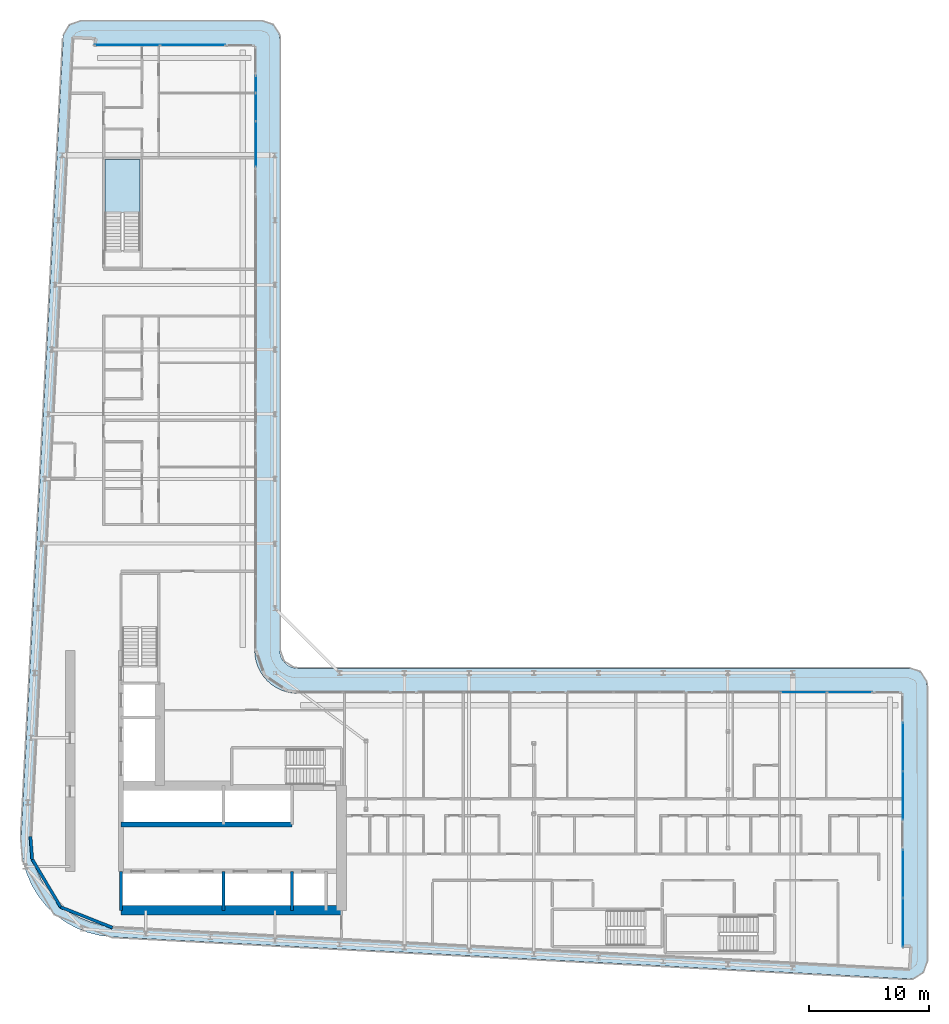
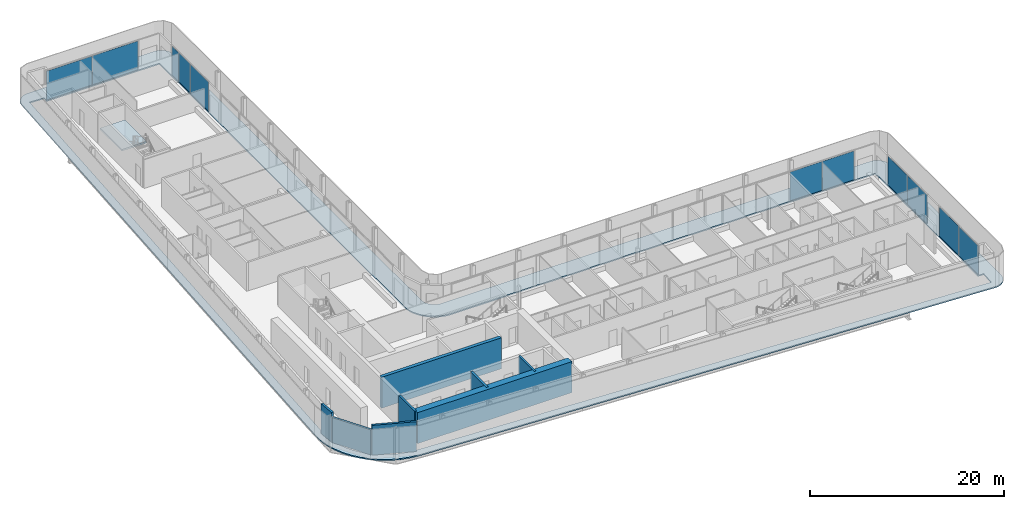
# One storey, part 14 of 29: 11 plates, 8 walls, 2 slabs, 6 elements without a shape of their own.
"""IFC4 building model written with IfcOpenShell, lengths in metres."""

import ifcopenshell
import ifcopenshell.guid

model = None  # the IFC model being written
_history = None  # IfcOwnerHistory: only IFC2X3 demands one
_inside = {}  # id of a spatial element -> (the spatial element, [elements in it])
_under = {}  # id of a project, library or spatial element -> (it, [spatial elements below it])
_declared = {}  # id of a project -> (the project, [libraries it declares])
_typed = {}  # id of a type object -> (the type object, [elements of that type])
_made_of = {}  # id of a material, layer set ... -> (it, [elements and type objects made of it])


def new_model(schema):
    """Start an empty IFC model of exactly this schema.

    Asked for "IFC4X3", IfcOpenShell would pick the latest addendum, in which some entities
    have other attributes; the version numbers below select the first issue.
    IFC2X3 requires an IfcOwnerHistory on every rooted entity: one is made here for all.
    """
    global model, _history
    if schema == "IFC4X3":
        model = ifcopenshell.file(schema_version=(4, 3, 0, 0))
    else:
        model = ifcopenshell.file(schema=schema)
    _inside.clear()
    _under.clear()
    _declared.clear()
    _typed.clear()
    _made_of.clear()
    _history = None
    if model.schema == "IFC2X3":
        org = make("IfcOrganization", Name="unknown")
        user = make(
            "IfcPersonAndOrganization",
            ThePerson=make("IfcPerson", FamilyName="unknown"),
            TheOrganization=org,
        )
        app = make(
            "IfcApplication",
            ApplicationDeveloper=org,
            Version="unknown",
            ApplicationFullName="unknown",
            ApplicationIdentifier="unknown",
        )
        _history = make(
            "IfcOwnerHistory",
            OwningUser=user,
            OwningApplication=app,
            ChangeAction="ADDED",
            CreationDate=0,
        )
    return model


def make(cls, **values):
    """One entity of the class cls with the attributes given. An attribute that is None is left unset."""
    return model.create_entity(
        cls, **{name: value for name, value in values.items() if value is not None}
    )


def rooted(cls, **values):
    """An entity with a GlobalId (a new one), such as an element, a storey or a relation."""
    return make(cls, GlobalId=ifcopenshell.guid.new(), OwnerHistory=_history, **values)


def si_unit(unit_type, name, prefix=None):
    """IfcSIUnit, for example si_unit("LENGTHUNIT", "METRE", prefix="MILLI")."""
    return make("IfcSIUnit", UnitType=unit_type, Prefix=prefix, Name=name)


def assignment(units):
    """IfcUnitAssignment: the units of a project."""
    return None if units is None else make("IfcUnitAssignment", Units=units)


def point(xyz):
    """IfcCartesianPoint."""
    return None if xyz is None else make("IfcCartesianPoint", Coordinates=xyz)


def direction(xyz):
    """IfcDirection."""
    return None if xyz is None else make("IfcDirection", DirectionRatios=xyz)


def frame(location, z_axis=None, x_axis=None):
    """IfcAxis2Placement3D, a coordinate frame: its origin and axes. An axis left out is left unset."""
    return make(
        "IfcAxis2Placement3D",
        Location=point(location),
        Axis=direction(z_axis),
        RefDirection=direction(x_axis),
    )


def frame_2d(location, x_axis=None):
    """IfcAxis2Placement2D, a coordinate frame in the plane: its origin and x axis."""
    return make(
        "IfcAxis2Placement2D", Location=point(location), RefDirection=direction(x_axis)
    )


def origin():
    """The frame at (0, 0, 0) with its axes left unset."""
    return frame((0.0, 0.0, 0.0))


def origin_2d():
    """The frame at (0, 0) in the plane with its x axis left unset."""
    return frame_2d((0.0, 0.0))


def place(relative_to, where):
    """IfcLocalPlacement: puts the frame where relative to a parent placement (None: the world)."""
    return make(
        "IfcLocalPlacement", PlacementRelTo=relative_to, RelativePlacement=where
    )


def context(
    kind, dimensions, precision=None, world=None, true_north=None, identifier=None
):
    """IfcGeometricRepresentationContext, for example the 3D "Model" context."""
    return make(
        "IfcGeometricRepresentationContext",
        ContextIdentifier=identifier,
        ContextType=kind,
        CoordinateSpaceDimension=dimensions,
        Precision=precision,
        WorldCoordinateSystem=world,
        TrueNorth=true_north,
    )


def subcontext(parent, identifier, kind, view, scale=None):
    """IfcGeometricRepresentationSubContext, for example "Body" below "Model"."""
    return make(
        "IfcGeometricRepresentationSubContext",
        ContextIdentifier=identifier,
        ContextType=kind,
        ParentContext=parent,
        TargetScale=scale,
        TargetView=view,
    )


def project(units=None, contexts=None):
    """IfcProject with its units and contexts."""
    return rooted(
        "IfcProject",
        Name="project",
        RepresentationContexts=contexts,
        UnitsInContext=assignment(units),
    )


def spatial(cls, under=None, at=None, **own):
    """A site, building, storey or space (cls), placed at a placement, below another one or the project."""
    s = rooted(cls, ObjectPlacement=at, **own)
    if under is not None:
        _under.setdefault(under.id(), (under, []))[1].append(s)
    return s


def polyline(points):
    """IfcPolyline through the points."""
    return make("IfcPolyline", Points=[point(p) for p in points])


def profile(cls, at=None, kind="AREA", **sizes):
    """A parametric profile (cls). Its sizes go by their IFC names, for example OverallWidth=200.0."""
    return make(cls, ProfileType=kind, Position=at, **sizes)


def rectangle(**sizes):
    """IfcRectangleProfileDef."""
    return profile("IfcRectangleProfileDef", **sizes)


def outline(outer, holes=None, kind="AREA"):
    """IfcArbitraryClosedProfileDef: a profile drawn as a closed curve; with holes, ...WithVoids."""
    if holes is None:
        return make("IfcArbitraryClosedProfileDef", ProfileType=kind, OuterCurve=outer)
    return make(
        "IfcArbitraryProfileDefWithVoids",
        ProfileType=kind,
        OuterCurve=outer,
        InnerCurves=holes,
    )


def extrude(swept, where, along, depth):
    """IfcExtrudedAreaSolid: the profile swept, set in the frame where, extruded along a direction by depth."""
    return make(
        "IfcExtrudedAreaSolid",
        SweptArea=swept,
        Position=where,
        ExtrudedDirection=direction(along),
        Depth=depth,
    )


def shape(context_of_items, identifier, shape_type, items):
    """IfcShapeRepresentation: the items that make up one representation, for example the "Body"."""
    return make(
        "IfcShapeRepresentation",
        ContextOfItems=context_of_items,
        RepresentationIdentifier=identifier,
        RepresentationType=shape_type,
        Items=items,
    )


def material(Name=None, Category=None):
    """IfcMaterial."""
    return make("IfcMaterial", Name=Name, Category=Category)


def layer(
    of_material, thickness, ventilated=None, Name=None, Category=None, Priority=None
):
    """IfcMaterialLayer: one layer of a wall or slab, of a material (None: an air gap)."""
    return make(
        "IfcMaterialLayer",
        Material=of_material,
        LayerThickness=thickness,
        IsVentilated=ventilated,
        Name=Name,
        Category=Category,
        Priority=Priority,
    )


def layer_set(layers, Name=None):
    """IfcMaterialLayerSet."""
    return make("IfcMaterialLayerSet", MaterialLayers=layers, LayerSetName=Name)


def made_of(thing, what):
    """Note that an element or type object is made of a material, layer set ...; save() writes the relation."""
    if what is not None:
        _made_of.setdefault(what.id(), (what, []))[1].append(thing)
    return thing


def type_object(cls, material=None, **own):
    """A type object (cls), such as IfcWallType, which elements share."""
    return made_of(rooted(cls, **own), material)


def element(
    cls,
    number,
    at=None,
    inside=None,
    cuts=None,
    type_object=None,
    material=None,
    context=None,
    identifier="Body",
    shape_type=None,
    held_by="IfcProductDefinitionShape",
    body=None,
    shapes=None,
    **own,
):
    """One element of the class cls, such as IfcWall. Its Tag is "e" and its number.

    at: its placement. inside: the storey or other place that contains it. cuts: it is an
    opening in that element (IfcRelVoidsElement). A single representation is given by context,
    identifier, shape_type and body (its items); several are given by shapes. held_by: the class
    of the entity that holds the representations. save() writes the other relations.
    """
    e = rooted(cls, Tag="e%d" % number, ObjectPlacement=at, **own)
    if body is not None:
        shapes = [shape(context, identifier, shape_type, body)]
    if shapes is not None:
        e.Representation = make(held_by, Representations=shapes)
    if inside is not None:
        _inside.setdefault(inside.id(), (inside, []))[1].append(e)
    if cuts is not None:
        rooted(
            "IfcRelVoidsElement", RelatingBuildingElement=cuts, RelatedOpeningElement=e
        )
    if type_object is not None:
        _typed.setdefault(type_object.id(), (type_object, []))[1].append(e)
    return made_of(e, material)


def aggregate(whole, parts):
    """IfcRelAggregates: a whole, such as a stair, and the parts it consists of."""
    return rooted("IfcRelAggregates", RelatingObject=whole, RelatedObjects=parts)


def save(model, path):
    """Write the relations noted so far, then the file.

    IfcRelAggregates (storeys below a building ...), IfcRelContainedInSpatialStructure (elements
    in a storey), IfcRelDefinesByType, IfcRelAssociatesMaterial and IfcRelDeclares: one each for
    every whole, place, type object, material and project.
    """
    for whole, parts in _under.values():
        aggregate(whole, parts)
    for where, things in _inside.values():
        rooted(
            "IfcRelContainedInSpatialStructure",
            RelatedElements=things,
            RelatingStructure=where,
        )
    for kind, things in _typed.values():
        rooted("IfcRelDefinesByType", RelatedObjects=things, RelatingType=kind)
    for what, things in _made_of.values():
        rooted("IfcRelAssociatesMaterial", RelatedObjects=things, RelatingMaterial=what)
    for by, libraries in _declared.values():
        rooted("IfcRelDeclares", RelatingContext=by, RelatedDefinitions=libraries)
    model.write(path)


model = new_model("IFC4")

# Units and contexts
model_context = context("Model", 3, precision=1e-05, world=origin(), true_north=direction((0.0, 1.0)))
body_context = subcontext(model_context, "Body", "Model", "MODEL_VIEW")
ifc_project = project(units=[si_unit("LENGTHUNIT", "METRE"), si_unit("AREAUNIT", "SQUARE_METRE"), si_unit("VOLUMEUNIT", "CUBIC_METRE"), si_unit("PLANEANGLEUNIT", "RADIAN"), si_unit("MASSUNIT", "GRAM", prefix="KILO")], contexts=[model_context])

# Site, building, storey
site_placement = place(None, origin())
site = spatial("IfcSite", under=ifc_project, at=site_placement, CompositionType="ELEMENT")
building_placement = place(site_placement, origin())
building = spatial("IfcBuilding", under=site, at=building_placement, Name="Kheshtan School and Residences Tower", CompositionType="ELEMENT")
storey_placement = place(building_placement, frame((0.0, 0.0, 176.0)))
storey = spatial("IfcBuildingStorey", under=building, at=storey_placement, Name="L41", CompositionType="ELEMENT", Elevation=176.0)

# Curtain wall, plates
ifc_material_1 = material(Name="Clear low-e glass in thermally broken aluminium frame", Category="aluminium")
ifc_layer_1 = layer(ifc_material_1, 0.199951171875)
ifc_layer_set_1 = layer_set([ifc_layer_1], Name="Curtain wall CW-L")
curtain_wall_type = type_object("IfcCurtainWallType", Name="Curtain wall CW-L", PredefinedType="NOTDEFINED", material=ifc_layer_set_1)
curtain_wall_1_placement = place(storey_placement, origin())
curtain_wall_1 = element("IfcCurtainWall", 1, at=curtain_wall_1_placement, inside=storey, type_object=curtain_wall_type, Name="Curtain wall CWL7", PredefinedType="NOTDEFINED")
ifc_layer_2 = layer(ifc_material_1, 0.031982421875)
ifc_layer_set_2 = layer_set([ifc_layer_2], Name="CW-L glass panel")
plate_type = type_object("IfcPlateType", Name="CW-L glass panel", PredefinedType="CURTAIN_PANEL", material=ifc_layer_set_2)
plate_1_placement = place(storey_placement, frame((35.259033203125, 98.0, 0.0), z_axis=(0.0, 0.0, 1.0), x_axis=(1.0, 0.0, 0.0)))
plate_1 = element("IfcPlate", 2, at=plate_1_placement, type_object=plate_type, Name="CWL7 panel 1.1", PredefinedType="CURTAIN_PANEL", context=body_context, shape_type="SweptSolid", body=[
    extrude(rectangle(XDim=5.4140625, YDim=0.031982421875, at=origin_2d()), origin(), (0.0, 0.0, 1.0), 3.6298828125),
])
plate_2_placement = place(storey_placement, frame((40.73291015625, 98.0, 0.0), z_axis=(0.0, 0.0, 1.0), x_axis=(1.0, 0.0, 0.0)))
plate_2 = element("IfcPlate", 3, at=plate_2_placement, type_object=plate_type, Name="CWL7 panel 2.1", PredefinedType="CURTAIN_PANEL", context=body_context, shape_type="SweptSolid", body=[
    extrude(rectangle(XDim=5.4140625, YDim=0.031982421875, at=origin_2d()), origin(), (0.0, 0.0, 1.0), 3.6298828125),
])
aggregate(curtain_wall_1, [plate_1, plate_2])

curtain_wall_2_placement = place(storey_placement, origin())
curtain_wall_2 = element("IfcCurtainWall", 4, at=curtain_wall_2_placement, inside=storey, type_object=curtain_wall_type, Name="Curtain wall CWL8c", PredefinedType="NOTDEFINED")
plate_3_placement = place(storey_placement, frame((46.0, 94.735107421875, 0.0), z_axis=(0.0, 0.0, 1.0), x_axis=(0.0, -1.0, 0.0)))
plate_3 = element("IfcPlate", 5, at=plate_3_placement, type_object=plate_type, Name="CWL8c panel 1.1", PredefinedType="CURTAIN_PANEL", context=body_context, shape_type="SweptSolid", body=[
    extrude(rectangle(XDim=1.409912109375, YDim=0.031982421875, at=origin_2d()), origin(), (0.0, 0.0, 1.0), 3.6298828125),
])
plate_4_placement = place(storey_placement, frame((46.0, 92.826416015625, 0.0), z_axis=(0.0, 0.0, 1.0), x_axis=(0.0, -1.0, 0.0)))
plate_4 = element("IfcPlate", 6, at=plate_4_placement, type_object=plate_type, Name="CWL8c panel 2.1", PredefinedType="CURTAIN_PANEL", context=body_context, shape_type="SweptSolid", body=[
    extrude(rectangle(XDim=2.287109375, YDim=0.031982421875, at=origin_2d()), origin(), (0.0, 0.0, 1.0), 3.6298828125),
])
plate_5_placement = place(storey_placement, frame((46.0, 89.744384765625, 0.0), z_axis=(0.0, 0.0, 1.0), x_axis=(0.0, -1.0, 0.0)))
plate_5 = element("IfcPlate", 7, at=plate_5_placement, type_object=plate_type, Name="CWL8c panel 3.1", PredefinedType="CURTAIN_PANEL", context=body_context, shape_type="SweptSolid", body=[
    extrude(rectangle(XDim=3.757080078125, YDim=0.031982421875, at=origin_2d()), origin(), (0.0, 0.0, 1.0), 3.6298828125),
])
aggregate(curtain_wall_2, [plate_3, plate_4, plate_5])

curtain_wall_3_placement = place(storey_placement, origin())
curtain_wall_3 = element("IfcCurtainWall", 8, at=curtain_wall_3_placement, inside=storey, type_object=curtain_wall_type, Name="Curtain wall CWL12j", PredefinedType="NOTDEFINED")
plate_6_placement = place(storey_placement, frame((91.714599609375, 44.0, 0.0), z_axis=(0.0, 0.0, 1.0), x_axis=(1.0, 0.0, 0.0)))
plate_6 = element("IfcPlate", 9, at=plate_6_placement, type_object=plate_type, Name="CWL12j panel 1.1", PredefinedType="CURTAIN_PANEL", context=body_context, shape_type="SweptSolid", body=[
    extrude(rectangle(XDim=3.81689453125, YDim=0.031982421875, at=origin_2d()), origin(), (0.0, 0.0, 1.0), 3.6298828125),
])
plate_7_placement = place(storey_placement, frame((95.5615234375, 44.0, 0.0), z_axis=(0.0, 0.0, 1.0), x_axis=(1.0, 0.0, 0.0)))
plate_7 = element("IfcPlate", 10, at=plate_7_placement, type_object=plate_type, Name="CWL12j panel 2.1", PredefinedType="CURTAIN_PANEL", context=body_context, shape_type="SweptSolid", body=[
    extrude(rectangle(XDim=3.757080078125, YDim=0.031982421875, at=origin_2d()), origin(), (0.0, 0.0, 1.0), 3.6298828125),
])
aggregate(curtain_wall_3, [plate_6, plate_7])

curtain_wall_4_placement = place(storey_placement, origin())
curtain_wall_4 = element("IfcCurtainWall", 11, at=curtain_wall_4_placement, inside=storey, type_object=curtain_wall_type, Name="Curtain wall CWL13b", PredefinedType="NOTDEFINED")
plate_8_placement = place(storey_placement, frame((100.0, 39.436767578125, 0.0), z_axis=(0.0, 0.0, 1.0), x_axis=(0.0, -1.0, 0.0)))
plate_8 = element("IfcPlate", 12, at=plate_8_placement, type_object=plate_type, Name="CWL13b panel 1.1", PredefinedType="CURTAIN_PANEL", context=body_context, shape_type="SweptSolid", body=[
    extrude(rectangle(XDim=4.006591796875, YDim=0.031982421875, at=origin_2d()), origin(), (0.0, 0.0, 1.0), 3.6298828125),
])
plate_9_placement = place(storey_placement, frame((100.0, 35.370361328125, 0.0), z_axis=(0.0, 0.0, 1.0), x_axis=(0.0, -1.0, 0.0)))
plate_9 = element("IfcPlate", 13, at=plate_9_placement, type_object=plate_type, Name="CWL13b panel 2.1", PredefinedType="CURTAIN_PANEL", context=body_context, shape_type="SweptSolid", body=[
    extrude(rectangle(XDim=4.006591796875, YDim=0.031982421875, at=origin_2d()), origin(), (0.0, 0.0, 1.0), 3.6298828125),
])
aggregate(curtain_wall_4, [plate_8, plate_9])

curtain_wall_5_placement = place(storey_placement, origin())
curtain_wall_5 = element("IfcCurtainWall", 14, at=curtain_wall_5_placement, inside=storey, type_object=curtain_wall_type, Name="Curtain wall CWL13b", PredefinedType="NOTDEFINED")
plate_10_placement = place(storey_placement, frame((100.0, 28.84375, 0.0), z_axis=(0.0, 0.0, 1.0), x_axis=(0.0, -1.0, 0.0)))
plate_10 = element("IfcPlate", 15, at=plate_10_placement, type_object=plate_type, Name="CWL13b panel 1.1", PredefinedType="CURTAIN_PANEL", context=body_context, shape_type="SweptSolid", body=[
    extrude(rectangle(XDim=4.006591796875, YDim=0.031982421875, at=origin_2d()), origin(), (0.0, 0.0, 1.0), 3.6298828125),
])
plate_11_placement = place(storey_placement, frame((100.0, 24.77734375, 0.0), z_axis=(0.0, 0.0, 1.0), x_axis=(0.0, -1.0, 0.0)))
plate_11 = element("IfcPlate", 16, at=plate_11_placement, type_object=plate_type, Name="CWL13b panel 2.1", PredefinedType="CURTAIN_PANEL", context=body_context, shape_type="SweptSolid", body=[
    extrude(rectangle(XDim=4.006591796875, YDim=0.031982421875, at=origin_2d()), origin(), (0.0, 0.0, 1.0), 3.6298828125),
])
aggregate(curtain_wall_5, [plate_10, plate_11])

# Slab
ifc_material_2 = material(Name="Concrete C40/50", Category="concrete")
ifc_layer_3 = layer(ifc_material_2, 0.14990234375)
ifc_layer_set_3 = layer_set([ifc_layer_3], Name="Loggia balcony slab 150 Concrete C40/50")
slab_type_1 = type_object("IfcSlabType", Name="Loggia balcony slab 150 Concrete C40/50", PredefinedType="FLOOR", material=ifc_layer_set_3)
slab_1_placement = place(storey_placement, frame((0.0, 0.0, -0.14990234375)))
element("IfcSlab", 17, at=slab_1_placement, inside=storey, type_object=slab_type_1, Name="Loggia balcony slab L41", PredefinedType="FLOOR", context=body_context, shape_type="SweptSolid", body=[
    extrude(outline(polyline([(28.4580078125, 26.222900390625), (28.45703125, 26.222900390625), (28.45703125, 26.22412109375), (28.4560546875, 26.22412109375), (27.81494140625, 27.0390625), (27.281005859375, 27.93798828125), (26.867919921875, 28.89990234375), (26.583984375, 29.89990234375), (26.583984375, 29.906982421875), (26.43408203125, 30.943115234375), (26.419921875, 31.989013671875), (29.925048828125, 98.5791015625), (29.930908203125, 98.626953125), (29.930908203125, 98.6279296875), (29.929931640625, 98.6279296875), (29.929931640625, 98.62890625), (29.928955078125, 98.62890625), (29.928955078125, 98.6298828125), (29.927978515625, 98.6298828125), (29.927978515625, 98.631103515625), (29.927001953125, 98.631103515625), (29.927001953125, 98.632080078125), (29.927001953125, 98.633056640625), (29.945068359375, 98.781005859375), (29.945068359375, 98.783935546875), (29.945068359375, 98.784912109375), (29.946044921875, 98.784912109375), (29.946044921875, 98.785888671875), (29.947021484375, 98.785888671875), (29.947021484375, 98.787109375), (29.947998046875, 98.787109375), (29.948974609375, 98.787109375), (29.948974609375, 98.7880859375), (29.949951171875, 98.7880859375), (29.949951171875, 98.7890625), (29.949951171875, 98.791015625), (30.0029296875, 98.98388671875), (30.083984375, 99.175048828125), (30.18896484375, 99.35302734375), (30.31103515625, 99.507080078125), (30.31201171875, 99.507080078125), (30.31201171875, 99.508056640625), (30.31298828125, 99.508056640625), (30.31298828125, 99.509033203125), (30.31396484375, 99.509033203125), (30.31396484375, 99.510009765625), (30.31494140625, 99.510009765625), (30.31494140625, 99.510986328125), (30.31591796875, 99.510986328125), (30.31591796875, 99.511962890625), (30.31689453125, 99.511962890625), (30.31689453125, 99.512939453125), (30.318115234375, 99.512939453125), (30.320068359375, 99.512939453125), (30.321044921875, 99.512939453125), (30.321044921875, 99.513916015625), (30.468017578125, 99.656982421875), (30.468994140625, 99.656982421875), (30.468994140625, 99.657958984375), (30.469970703125, 99.657958984375), (30.469970703125, 99.658935546875), (30.470947265625, 99.658935546875), (30.470947265625, 99.659912109375), (30.471923828125, 99.659912109375), (30.471923828125, 99.660888671875), (30.472900390625, 99.660888671875), (30.472900390625, 99.662109375), (30.47412109375, 99.662109375), (30.47412109375, 99.6630859375), (30.47509765625, 99.6630859375), (30.47509765625, 99.6640625), (30.635986328125, 99.777099609375), (30.820068359375, 99.873046875), (31.007080078125, 99.943115234375), (31.013916015625, 99.943115234375), (31.217041015625, 99.986083984375), (31.423095703125, 100.0), (46.5, 100.0), (46.696044921875, 99.987060546875), (46.887939453125, 99.948974609375), (46.89501953125, 99.948974609375), (47.073974609375, 99.885986328125), (47.243896484375, 99.801025390625), (47.2451171875, 99.801025390625), (47.2470703125, 99.801025390625), (47.248046875, 99.801025390625), (47.248046875, 99.802001953125), (47.2490234375, 99.802001953125), (47.2490234375, 99.802978515625), (47.25, 99.802978515625), (47.2529296875, 99.802978515625), (47.25390625, 99.802978515625), (47.25390625, 99.802001953125), (47.2548828125, 99.802001953125), (47.2548828125, 99.801025390625), (47.256103515625, 99.801025390625), (47.256103515625, 99.800048828125), (47.257080078125, 99.800048828125), (47.257080078125, 99.799072265625), (47.258056640625, 99.799072265625), (47.258056640625, 99.798095703125), (47.412109375, 99.696044921875), (47.4130859375, 99.696044921875), (47.4130859375, 99.695068359375), (47.4140625, 99.695068359375), (47.4140625, 99.694091796875), (47.4140625, 99.68994140625), (47.4140625, 99.68896484375), (47.4150390625, 99.68896484375), (47.4150390625, 99.68798828125), (47.416015625, 99.68798828125), (47.416015625, 99.68701171875), (47.4169921875, 99.68701171875), (47.4169921875, 99.68603515625), (47.554931640625, 99.568115234375), (47.554931640625, 99.56689453125), (47.555908203125, 99.56689453125), (47.555908203125, 99.56591796875), (47.556884765625, 99.56591796875), (47.556884765625, 99.56494140625), (47.55810546875, 99.56494140625), (47.55810546875, 99.56396484375), (47.55908203125, 99.56396484375), (47.55908203125, 99.56298828125), (47.56005859375, 99.56298828125), (47.56005859375, 99.56201171875), (47.56103515625, 99.56201171875), (47.56201171875, 99.56103515625), (47.56201171875, 99.56005859375), (47.56298828125, 99.56005859375), (47.56298828125, 99.55908203125), (47.56396484375, 99.55908203125), (47.56396484375, 99.55810546875), (47.56494140625, 99.55810546875), (47.56494140625, 99.556884765625), (47.56591796875, 99.556884765625), (47.56591796875, 99.555908203125), (47.56689453125, 99.555908203125), (47.56689453125, 99.554931640625), (47.568115234375, 99.554931640625), (47.68505859375, 99.41796875), (47.68603515625, 99.41796875), (47.68603515625, 99.4169921875), (47.68701171875, 99.4169921875), (47.68701171875, 99.416015625), (47.68798828125, 99.416015625), (47.68798828125, 99.4150390625), (47.68896484375, 99.4150390625), (47.68896484375, 99.4140625), (47.68994140625, 99.4140625), (47.694091796875, 99.4140625), (47.695068359375, 99.4140625), (47.695068359375, 99.4130859375), (47.696044921875, 99.4130859375), (47.696044921875, 99.412109375), (47.797119140625, 99.259033203125), (47.798095703125, 99.259033203125), (47.798095703125, 99.258056640625), (47.799072265625, 99.258056640625), (47.799072265625, 99.257080078125), (47.800048828125, 99.257080078125), (47.800048828125, 99.256103515625), (47.801025390625, 99.256103515625), (47.801025390625, 99.2548828125), (47.802001953125, 99.2548828125), (47.802001953125, 99.25390625), (47.802978515625, 99.25390625), (47.802978515625, 99.2529296875), (47.802978515625, 99.25), (47.802978515625, 99.2490234375), (47.802001953125, 99.2490234375), (47.802001953125, 99.248046875), (47.801025390625, 99.248046875), (47.801025390625, 99.2470703125), (47.801025390625, 99.243896484375), (47.801025390625, 99.242919921875), (47.885986328125, 99.073974609375), (47.948974609375, 98.89501953125), (47.948974609375, 98.887939453125), (47.987060546875, 98.696044921875), (48.0, 98.5), (48.0, 47.5), (48.012939453125, 47.303955078125), (48.051025390625, 47.113037109375), (48.051025390625, 47.10693359375), (48.051025390625, 47.10595703125), (48.114013671875, 46.926025390625), (48.200927734375, 46.75), (48.31005859375, 46.5869140625), (48.431884765625, 46.444091796875), (48.43310546875, 46.444091796875), (48.43310546875, 46.443115234375), (48.43408203125, 46.443115234375), (48.43408203125, 46.44189453125), (48.43505859375, 46.44189453125), (48.43505859375, 46.44091796875), (48.43603515625, 46.44091796875), (48.43603515625, 46.43994140625), (48.43701171875, 46.43994140625), (48.43701171875, 46.43896484375), (48.43798828125, 46.43896484375), (48.43896484375, 46.43798828125), (48.43896484375, 46.43701171875), (48.43994140625, 46.43701171875), (48.43994140625, 46.43603515625), (48.44091796875, 46.43603515625), (48.44091796875, 46.43505859375), (48.44189453125, 46.43505859375), (48.44189453125, 46.43408203125), (48.443115234375, 46.43408203125), (48.443115234375, 46.43310546875), (48.444091796875, 46.43310546875), (48.444091796875, 46.431884765625), (48.5869140625, 46.31005859375), (48.75, 46.200927734375), (48.926025390625, 46.114013671875), (49.10595703125, 46.051025390625), (49.10693359375, 46.051025390625), (49.113037109375, 46.051025390625), (49.303955078125, 46.012939453125), (49.5, 46.0), (100.5, 46.0), (100.696044921875, 45.987060546875), (100.887939453125, 45.948974609375), (100.89501953125, 45.948974609375), (101.073974609375, 45.885986328125), (101.241943359375, 45.801025390625), (101.242919921875, 45.801025390625), (101.2470703125, 45.801025390625), (101.248046875, 45.801025390625), (101.248046875, 45.802001953125), (101.2490234375, 45.802001953125), (101.2490234375, 45.802978515625), (101.25, 45.802978515625), (101.2529296875, 45.802978515625), (101.25390625, 45.802978515625), (101.25390625, 45.802001953125), (101.2548828125, 45.802001953125), (101.2548828125, 45.801025390625), (101.256103515625, 45.801025390625), (101.256103515625, 45.800048828125), (101.257080078125, 45.800048828125), (101.257080078125, 45.799072265625), (101.258056640625, 45.799072265625), (101.258056640625, 45.798095703125), (101.259033203125, 45.798095703125), (101.259033203125, 45.797119140625), (101.260009765625, 45.797119140625), (101.260009765625, 45.7958984375), (101.412109375, 45.696044921875), (101.4130859375, 45.696044921875), (101.4130859375, 45.695068359375), (101.4140625, 45.695068359375), (101.4140625, 45.694091796875), (101.4140625, 45.68994140625), (101.4140625, 45.68896484375), (101.4150390625, 45.68896484375), (101.4150390625, 45.68798828125), (101.416015625, 45.68798828125), (101.416015625, 45.68701171875), (101.4169921875, 45.68701171875), (101.4169921875, 45.68603515625), (101.41796875, 45.68603515625), (101.41796875, 45.68505859375), (101.4189453125, 45.68505859375), (101.4189453125, 45.68408203125), (101.554931640625, 45.568115234375), (101.554931640625, 45.56689453125), (101.555908203125, 45.56689453125), (101.555908203125, 45.56591796875), (101.556884765625, 45.56591796875), (101.556884765625, 45.56494140625), (101.55810546875, 45.56494140625), (101.55810546875, 45.56396484375), (101.55908203125, 45.56396484375), (101.55908203125, 45.56298828125), (101.56005859375, 45.56298828125), (101.56005859375, 45.56201171875), (101.56103515625, 45.56201171875), (101.56201171875, 45.56103515625), (101.56201171875, 45.56005859375), (101.56298828125, 45.56005859375), (101.56298828125, 45.55908203125), (101.56396484375, 45.55908203125), (101.56396484375, 45.55810546875), (101.56494140625, 45.55810546875), (101.56494140625, 45.556884765625), (101.56591796875, 45.556884765625), (101.56591796875, 45.555908203125), (101.56689453125, 45.555908203125), (101.56689453125, 45.554931640625), (101.568115234375, 45.554931640625), (101.681884765625, 45.4208984375), (101.68310546875, 45.4208984375), (101.68310546875, 45.419921875), (101.68408203125, 45.419921875), (101.68408203125, 45.4189453125), (101.68505859375, 45.4189453125), (101.68505859375, 45.41796875), (101.68603515625, 45.41796875), (101.68603515625, 45.4169921875), (101.68701171875, 45.4169921875), (101.68701171875, 45.416015625), (101.68798828125, 45.416015625), (101.68798828125, 45.4150390625), (101.68896484375, 45.4150390625), (101.68896484375, 45.4140625), (101.68994140625, 45.4140625), (101.694091796875, 45.4140625), (101.695068359375, 45.4140625), (101.695068359375, 45.4130859375), (101.696044921875, 45.4130859375), (101.696044921875, 45.412109375), (101.7939453125, 45.261962890625), (101.794921875, 45.261962890625), (101.794921875, 45.260986328125), (101.7958984375, 45.260986328125), (101.7958984375, 45.260009765625), (101.797119140625, 45.260009765625), (101.797119140625, 45.259033203125), (101.798095703125, 45.259033203125), (101.798095703125, 45.258056640625), (101.799072265625, 45.258056640625), (101.799072265625, 45.257080078125), (101.800048828125, 45.257080078125), (101.800048828125, 45.256103515625), (101.801025390625, 45.256103515625), (101.801025390625, 45.2548828125), (101.802001953125, 45.2548828125), (101.802001953125, 45.25390625), (101.802978515625, 45.25390625), (101.802978515625, 45.2529296875), (101.802978515625, 45.25), (101.802978515625, 45.2490234375), (101.802001953125, 45.2490234375), (101.802001953125, 45.248046875), (101.801025390625, 45.248046875), (101.801025390625, 45.2470703125), (101.801025390625, 45.240966796875), (101.801025390625, 45.239990234375), (101.885986328125, 45.073974609375), (101.948974609375, 44.89501953125), (101.948974609375, 44.887939453125), (101.987060546875, 44.696044921875), (102.0, 44.5), (102.0, 21.5810546875), (101.986083984375, 21.37890625), (101.945068359375, 21.179931640625), (101.945068359375, 21.173095703125), (101.8779296875, 20.989013671875), (101.785888671875, 20.80810546875), (101.6708984375, 20.64306640625), (101.6708984375, 20.64208984375), (101.6708984375, 20.64111328125), (101.6708984375, 20.639892578125), (101.672119140625, 20.639892578125), (101.672119140625, 20.638916015625), (101.672119140625, 20.636962890625), (101.672119140625, 20.635986328125), (101.6708984375, 20.635986328125), (101.6708984375, 20.635009765625), (101.5380859375, 20.491943359375), (101.534912109375, 20.489013671875), (101.533935546875, 20.489013671875), (101.533935546875, 20.488037109375), (101.532958984375, 20.488037109375), (101.531005859375, 20.488037109375), (101.530029296875, 20.488037109375), (101.530029296875, 20.489013671875), (101.529052734375, 20.489013671875), (101.528076171875, 20.489013671875), (101.527099609375, 20.489013671875), (101.3759765625, 20.364013671875), (101.2041015625, 20.256103515625), (101.01904296875, 20.174072265625), (100.8310546875, 20.116943359375), (100.823974609375, 20.116943359375), (100.6240234375, 20.0859375), (100.4208984375, 20.0830078125), (33.989013671875, 23.580078125), (33.94189453125, 23.5859375), (33.94091796875, 23.5859375), (33.93994140625, 23.5859375), (33.93994140625, 23.5849609375), (33.93896484375, 23.5849609375), (33.93896484375, 23.583984375), (33.93798828125, 23.583984375), (33.93798828125, 23.5830078125), (33.93701171875, 23.5830078125), (33.93701171875, 23.58203125), (33.93603515625, 23.58203125), (33.93505859375, 23.58203125), (32.952880859375, 23.697998046875), (32.949951171875, 23.697998046875), (32.948974609375, 23.697998046875), (32.948974609375, 23.698974609375), (32.947998046875, 23.698974609375), (32.947998046875, 23.699951171875), (32.947021484375, 23.699951171875), (32.947021484375, 23.700927734375), (32.947021484375, 23.702880859375), (32.947021484375, 23.7041015625), (32.946044921875, 23.7041015625), (32.946044921875, 23.705078125), (32.945068359375, 23.705078125), (32.944091796875, 23.705078125), (31.93603515625, 23.9609375), (31.928955078125, 23.9609375), (30.964111328125, 24.34912109375), (30.051025390625, 24.860107421875), (29.218994140625, 25.47900390625), (29.218994140625, 25.47998046875), (29.218017578125, 25.47998046875), (29.218017578125, 25.48095703125), (29.217041015625, 25.48095703125), (29.217041015625, 25.48193359375), (29.216064453125, 25.48193359375), (29.216064453125, 25.48291015625), (29.215087890625, 25.48291015625), (29.215087890625, 25.48388671875), (29.214111328125, 25.48388671875), (29.214111328125, 25.485107421875), (29.212890625, 25.485107421875), (29.212890625, 25.486083984375), (29.2119140625, 25.486083984375), (28.466064453125, 26.217041015625), (28.466064453125, 26.218017578125), (28.465087890625, 26.218017578125), (28.462890625, 26.218017578125), (28.4619140625, 26.218017578125), (28.4619140625, 26.218994140625), (28.4609375, 26.218994140625), (28.4609375, 26.219970703125), (28.4599609375, 26.219970703125), (28.4599609375, 26.220947265625), (28.458984375, 26.220947265625), (28.458984375, 26.221923828125), (28.4580078125, 26.221923828125), (28.4580078125, 26.222900390625)]), holes=[polyline([(29.12890625, 26.824951171875), (29.12890625, 26.823974609375), (29.1298828125, 26.823974609375), (29.1298828125, 26.822998046875), (29.131103515625, 26.822998046875), (29.131103515625, 26.822021484375), (29.132080078125, 26.822021484375), (29.132080078125, 26.821044921875), (29.133056640625, 26.821044921875), (29.133056640625, 26.820068359375), (29.134033203125, 26.820068359375), (29.7958984375, 26.173095703125), (29.7958984375, 26.172119140625), (29.797119140625, 26.172119140625), (29.798095703125, 26.172119140625), (29.799072265625, 26.172119140625), (29.799072265625, 26.1708984375), (29.800048828125, 26.1708984375), (29.800048828125, 26.169921875), (29.801025390625, 26.169921875), (29.801025390625, 26.1689453125), (29.802001953125, 26.1689453125), (29.802001953125, 26.16796875), (29.802978515625, 26.16796875), (29.802978515625, 26.1669921875), (29.803955078125, 26.1669921875), (29.803955078125, 26.166015625), (30.541015625, 25.616943359375), (31.35205078125, 25.1630859375), (32.208984375, 24.819091796875), (32.2099609375, 24.819091796875), (32.216064453125, 24.819091796875), (33.114990234375, 24.590087890625), (34.06591796875, 24.47705078125), (100.43798828125, 20.98291015625), (100.465087890625, 20.98388671875), (100.466064453125, 20.98388671875), (100.467041015625, 20.98388671875), (100.467041015625, 20.985107421875), (100.468017578125, 20.985107421875), (100.468017578125, 20.986083984375), (100.468017578125, 20.987060546875), (100.55810546875, 22.676025390625), (100.55810546875, 22.677001953125), (100.55810546875, 22.677978515625), (100.556884765625, 22.677978515625), (100.556884765625, 22.678955078125), (100.555908203125, 22.678955078125), (100.554931640625, 22.678955078125), (99.90087890625, 22.714111328125), (99.89990234375, 22.714111328125), (99.89990234375, 22.715087890625), (99.89990234375, 43.89794921875), (99.89990234375, 43.89892578125), (99.89892578125, 43.89892578125), (99.89892578125, 43.89990234375), (99.89794921875, 43.89990234375), (49.429931640625, 43.89990234375), (49.030029296875, 43.927001953125), (48.569091796875, 44.01806640625), (48.56201171875, 44.01806640625), (48.1201171875, 44.169921875), (47.697021484375, 44.37890625), (47.30810546875, 44.638916015625), (46.95703125, 44.944091796875), (46.95703125, 44.945068359375), (46.9560546875, 44.945068359375), (46.9560546875, 44.946044921875), (46.955078125, 44.946044921875), (46.955078125, 44.947021484375), (46.9541015625, 44.947021484375), (46.9541015625, 44.947998046875), (46.952880859375, 44.947998046875), (46.952880859375, 44.948974609375), (46.951904296875, 44.948974609375), (46.951904296875, 44.949951171875), (46.951904296875, 44.950927734375), (46.950927734375, 44.950927734375), (46.950927734375, 44.951904296875), (46.949951171875, 44.951904296875), (46.948974609375, 44.951904296875), (46.948974609375, 44.952880859375), (46.947998046875, 44.952880859375), (46.947998046875, 44.9541015625), (46.947021484375, 44.9541015625), (46.947021484375, 44.955078125), (46.946044921875, 44.955078125), (46.946044921875, 44.9560546875), (46.945068359375, 44.9560546875), (46.945068359375, 44.95703125), (46.944091796875, 44.95703125), (46.638916015625, 45.30810546875), (46.37890625, 45.697021484375), (46.169921875, 46.1201171875), (46.01806640625, 46.56201171875), (46.01806640625, 46.569091796875), (45.927001953125, 47.030029296875), (45.89990234375, 47.429931640625), (45.89990234375, 97.89794921875), (45.89990234375, 97.89892578125), (45.89892578125, 97.89892578125), (45.89892578125, 97.89990234375), (45.89794921875, 97.89990234375), (32.492919921875, 97.89990234375), (32.491943359375, 97.89990234375), (32.52099609375, 98.43896484375), (32.52099609375, 98.43994140625), (32.52099609375, 98.44091796875), (32.52001953125, 98.44091796875), (32.52001953125, 98.44189453125), (32.51904296875, 98.44189453125), (32.51806640625, 98.44189453125), (30.8291015625, 98.531982421875), (30.827880859375, 98.531982421875), (30.826904296875, 98.531982421875), (30.826904296875, 98.531005859375), (30.825927734375, 98.531005859375), (30.825927734375, 98.530029296875), (30.825927734375, 98.529052734375), (30.822021484375, 98.5009765625), (27.320068359375, 31.970947265625), (27.3330078125, 31.013916015625), (27.466064453125, 30.093994140625), (27.466064453125, 30.087890625), (27.466064453125, 30.0869140625), (27.718017578125, 29.200927734375), (28.0849609375, 28.345947265625), (28.55908203125, 27.550048828125), (29.126953125, 26.825927734375), (29.1279296875, 26.825927734375), (29.1279296875, 26.824951171875), (29.12890625, 26.824951171875)])]), origin(), (0.0, 0.0, 1.0), 0.14990234375),
])

# Stair, slab
stair_type = type_object("IfcStairType", Name="Exit stair, half-turn", PredefinedType="HALF_TURN_STAIR", material=ifc_material_2)
stair_placement = place(storey_placement, origin())
stair = element("IfcStair", 18, at=stair_placement, inside=storey, type_object=stair_type, Name="L41 Protected Exit Stair ST3", PredefinedType="HALF_TURN_STAIR")
ifc_layer_4 = layer(ifc_material_2, 0.199951171875)
ifc_layer_set_4 = layer_set([ifc_layer_4], Name="Stair landing 200 Concrete C40/50")
slab_type_2 = type_object("IfcSlabType", Name="Stair landing 200 Concrete C40/50", PredefinedType="LANDING", material=ifc_layer_set_4)
slab_2_placement = place(storey_placement, frame((0.0, 0.0, 1.75)))
slab_2 = element("IfcSlab", 19, at=slab_2_placement, type_object=slab_type_2, Name="ST3 landing 1", PredefinedType="LANDING", context=body_context, shape_type="SweptSolid", body=[
    extrude(outline(polyline([(36.35009765625, 83.97998046875), (36.35009765625, 88.4599609375), (33.39990234375, 88.4599609375), (33.39990234375, 83.97998046875), (36.35009765625, 83.97998046875)])), origin(), (0.0, 0.0, 1.0), 0.199951171875),
])
aggregate(stair, [slab_2])

# Walls
ifc_material_3 = material(Name="Concrete C50/60", Category="concrete")
ifc_layer_5 = layer(ifc_material_3, 0.39990234375)
ifc_layer_set_5 = layer_set([ifc_layer_5], Name="Core wall 400 Concrete C50/60")
wall_type_1 = type_object("IfcWallType", Name="Core wall 400 Concrete C50/60", PredefinedType="SHEAR", material=ifc_layer_set_5)
wall_1_placement = place(storey_placement, frame((34.75, 32.949951171875, 0.0), z_axis=(0.0, 0.0, 1.0), x_axis=(1.0, 0.0, 0.0)))
element("IfcWall", 20, at=wall_1_placement, inside=storey, type_object=wall_type_1, Name="Core wall CW-HALL-S2", PredefinedType="SHEAR", context=body_context, shape_type="SweptSolid", body=[
    extrude(rectangle(XDim=14.25, YDim=0.39990234375, at=frame_2d((7.125, 0.0))), origin(), (0.0, 0.0, 1.0), 3.89990234375),
])
ifc_material_4 = material(Name="Concrete C70/85", Category="concrete")
ifc_layer_6 = layer(ifc_material_4, 0.800048828125)
ifc_layer_set_6 = layer_set([ifc_layer_6], Name="Core wall 800 Concrete C70/85")
wall_type_2 = type_object("IfcWallType", Name="Core wall 800 Concrete C70/85", PredefinedType="SHEAR", material=ifc_layer_set_6)
wall_2_placement = place(storey_placement, frame((34.75, 25.800048828125, 0.0), z_axis=(0.0, 0.0, 1.0), x_axis=(1.0, 0.0, 0.0)))
element("IfcWall", 21, at=wall_2_placement, inside=storey, type_object=wall_type_2, Name="Core wall CW-REAR-S", PredefinedType="SHEAR", context=body_context, shape_type="SweptSolid", body=[
    extrude(rectangle(XDim=18.39990234375, YDim=0.800048828125, at=frame_2d((9.199951171875, 0.0))), origin(), (0.0, 0.0, 1.0), 3.89990234375),
])
ifc_material_5 = material(Name="Concrete C40/50 with ceramic cladding and mineral wool insulation", Category="concrete")
ifc_layer_7 = layer(ifc_material_5, 0.25)
ifc_layer_set_7 = layer_set([ifc_layer_7], Name="External wall 250 ceramic clad")
wall_type_3 = type_object("IfcWallType", Name="External wall 250 ceramic clad", PredefinedType="SOLIDWALL", material=ifc_layer_set_7)
wall_3_placement = place(storey_placement, frame((34.0390625, 24.35302734375, 0.0), z_axis=(0.0, 0.0, 1.0), x_axis=(-0.929352825399, 0.369192803184, 0.0)))
element("IfcWall", 22, at=wall_3_placement, inside=storey, type_object=wall_type_3, Name="External wall L41 1", PredefinedType="SOLIDWALL", context=body_context, shape_type="SweptSolid", body=[
    extrude(rectangle(XDim=4.656005859375, YDim=0.25, at=frame_2d((2.328125, 0.0))), origin(), (0.0, 0.0, 1.0), 3.75),
])
wall_4_placement = place(storey_placement, frame((29.7119140625, 26.072021484375, 0.0), z_axis=(0.0, 0.0, 1.0), x_axis=(-0.511028049012, 0.859564036662, 0.0)))
element("IfcWall", 23, at=wall_4_placement, inside=storey, type_object=wall_type_3, Name="External wall L41 2", PredefinedType="SOLIDWALL", context=body_context, shape_type="SweptSolid", body=[
    extrude(rectangle(XDim=4.633544921875, YDim=0.25, at=frame_2d((2.31689453125, 0.0))), origin(), (0.0, 0.0, 1.0), 3.14697265625),
])
wall_5_placement = place(storey_placement, frame((27.343994140625, 30.054931640625, 0.0), z_axis=(0.0, 0.0, 1.0), x_axis=(-0.077571675317, 0.99698677784, 0.0)))
element("IfcWall", 24, at=wall_5_placement, inside=storey, type_object=wall_type_3, Name="External wall L41 3", PredefinedType="SOLIDWALL", context=body_context, shape_type="SweptSolid", body=[
    extrude(rectangle(XDim=1.919921875, YDim=0.25, at=frame_2d((0.9599609375, 0.0))), origin(), (0.0, 0.0, 1.0), 3.75),
])
ifc_material_6 = material(Name="Fire-board shaft wall system")
ifc_layer_8 = layer(ifc_material_6, 0.25)
ifc_layer_set_8 = layer_set([ifc_layer_8], Name="Shaft lining wall 250")
wall_type_4 = type_object("IfcWallType", Name="Shaft lining wall 250", PredefinedType="PARTITIONING", material=ifc_layer_set_8)
for number, where, z_axis, x_axis, name in (
    (25, (34.75, 25.800048828125, 0.0), (0.0, 0.0, 1.0), (0.0, 1.0, 0.0), "Shaft lining wall"),
    (26, (43.300048828125, 25.800048828125, 0.0), (0.0, 0.0, 1.0), (0.0, 1.0, 0.0), "Shaft lining wall"),
    (27, (49.0, 25.800048828125, 0.0), (0.0, 0.0, 1.0), (0.0, 1.0, 0.0), "Shaft lining wall"),
):
    element("IfcWall", number, at=place(storey_placement, frame(where, z_axis=z_axis, x_axis=x_axis)), inside=storey, type_object=wall_type_4, Name=name, PredefinedType="PARTITIONING", context=body_context, shape_type="SweptSolid", body=[
        extrude(rectangle(XDim=3.25, YDim=0.25, at=frame_2d((1.625, 0.0))), origin(), (0.0, 0.0, 1.0), 3.89990234375),
    ])

save(model, "model.ifc")
